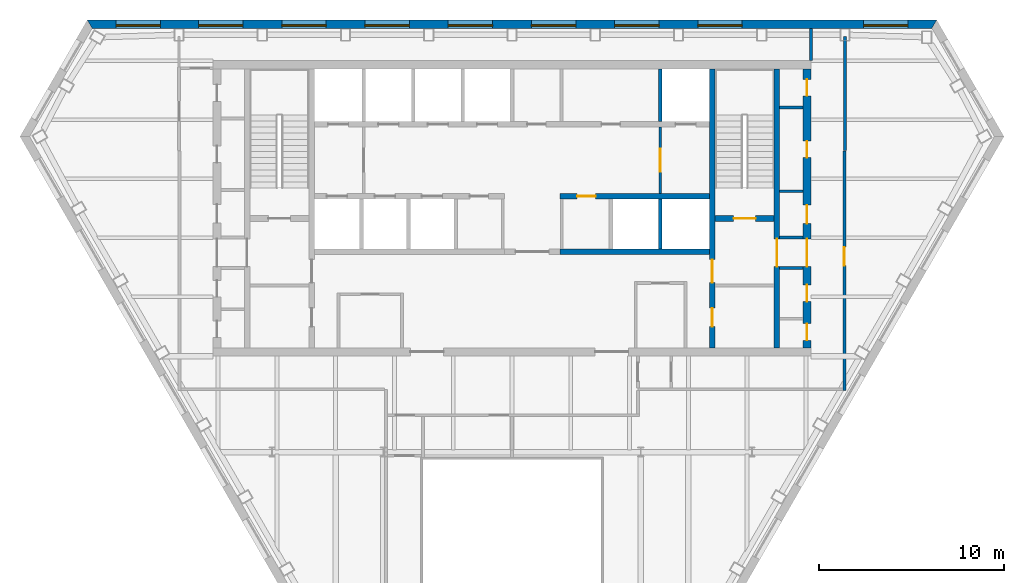
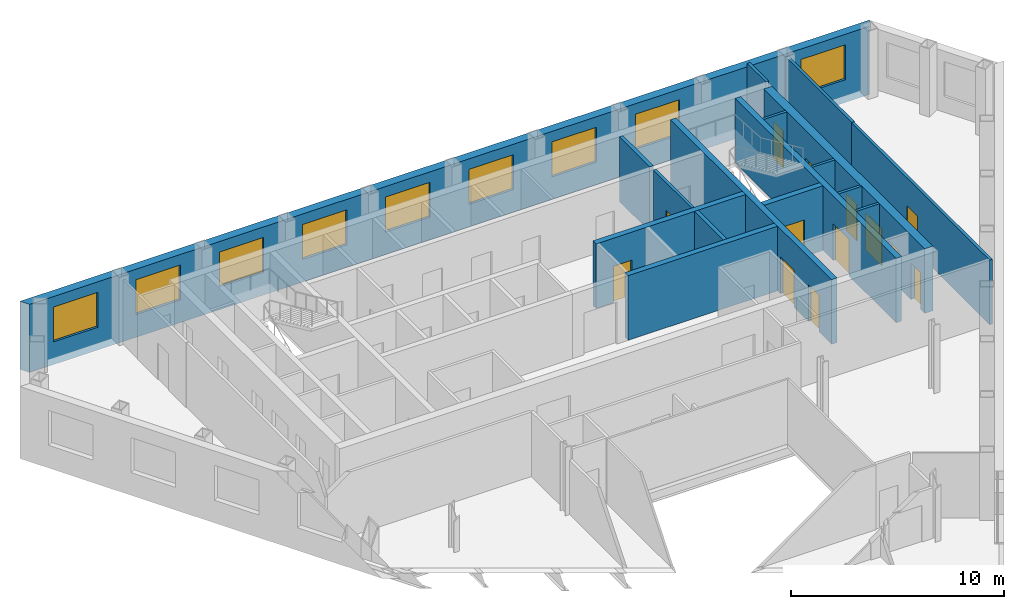
# One storey, part 7 of 11: 17 walls, 13 doors, 9 windows, 22 openings.
"""IFC4 building model written with IfcOpenShell, lengths in metres."""

import ifcopenshell
import ifcopenshell.guid

model = None  # the IFC model being written
_history = None  # IfcOwnerHistory: only IFC2X3 demands one
_inside = {}  # id of a spatial element -> (the spatial element, [elements in it])
_under = {}  # id of a project, library or spatial element -> (it, [spatial elements below it])
_declared = {}  # id of a project -> (the project, [libraries it declares])
_typed = {}  # id of a type object -> (the type object, [elements of that type])
_made_of = {}  # id of a material, layer set ... -> (it, [elements and type objects made of it])


def new_model(schema):
    """Start an empty IFC model of exactly this schema.

    Asked for "IFC4X3", IfcOpenShell would pick the latest addendum, in which some entities
    have other attributes; the version numbers below select the first issue.
    IFC2X3 requires an IfcOwnerHistory on every rooted entity: one is made here for all.
    """
    global model, _history
    if schema == "IFC4X3":
        model = ifcopenshell.file(schema_version=(4, 3, 0, 0))
    else:
        model = ifcopenshell.file(schema=schema)
    _inside.clear()
    _under.clear()
    _declared.clear()
    _typed.clear()
    _made_of.clear()
    _history = None
    if model.schema == "IFC2X3":
        org = make("IfcOrganization", Name="unknown")
        user = make(
            "IfcPersonAndOrganization",
            ThePerson=make("IfcPerson", FamilyName="unknown"),
            TheOrganization=org,
        )
        app = make(
            "IfcApplication",
            ApplicationDeveloper=org,
            Version="unknown",
            ApplicationFullName="unknown",
            ApplicationIdentifier="unknown",
        )
        _history = make(
            "IfcOwnerHistory",
            OwningUser=user,
            OwningApplication=app,
            ChangeAction="ADDED",
            CreationDate=0,
        )
    return model


def make(cls, **values):
    """One entity of the class cls with the attributes given. An attribute that is None is left unset."""
    return model.create_entity(
        cls, **{name: value for name, value in values.items() if value is not None}
    )


def rooted(cls, **values):
    """An entity with a GlobalId (a new one), such as an element, a storey or a relation."""
    return make(cls, GlobalId=ifcopenshell.guid.new(), OwnerHistory=_history, **values)


def si_unit(unit_type, name, prefix=None):
    """IfcSIUnit, for example si_unit("LENGTHUNIT", "METRE", prefix="MILLI")."""
    return make("IfcSIUnit", UnitType=unit_type, Prefix=prefix, Name=name)


def assignment(units):
    """IfcUnitAssignment: the units of a project."""
    return None if units is None else make("IfcUnitAssignment", Units=units)


def point(xyz):
    """IfcCartesianPoint."""
    return None if xyz is None else make("IfcCartesianPoint", Coordinates=xyz)


def direction(xyz):
    """IfcDirection."""
    return None if xyz is None else make("IfcDirection", DirectionRatios=xyz)


def frame(location, z_axis=None, x_axis=None):
    """IfcAxis2Placement3D, a coordinate frame: its origin and axes. An axis left out is left unset."""
    return make(
        "IfcAxis2Placement3D",
        Location=point(location),
        Axis=direction(z_axis),
        RefDirection=direction(x_axis),
    )


def frame_2d(location, x_axis=None):
    """IfcAxis2Placement2D, a coordinate frame in the plane: its origin and x axis."""
    return make(
        "IfcAxis2Placement2D", Location=point(location), RefDirection=direction(x_axis)
    )


def origin():
    """The frame at (0, 0, 0) with its axes left unset."""
    return frame((0.0, 0.0, 0.0))


def place(relative_to, where):
    """IfcLocalPlacement: puts the frame where relative to a parent placement (None: the world)."""
    return make(
        "IfcLocalPlacement", PlacementRelTo=relative_to, RelativePlacement=where
    )


def context(
    kind, dimensions, precision=None, world=None, true_north=None, identifier=None
):
    """IfcGeometricRepresentationContext, for example the 3D "Model" context."""
    return make(
        "IfcGeometricRepresentationContext",
        ContextIdentifier=identifier,
        ContextType=kind,
        CoordinateSpaceDimension=dimensions,
        Precision=precision,
        WorldCoordinateSystem=world,
        TrueNorth=true_north,
    )


def subcontext(parent, identifier, kind, view, scale=None):
    """IfcGeometricRepresentationSubContext, for example "Body" below "Model"."""
    return make(
        "IfcGeometricRepresentationSubContext",
        ContextIdentifier=identifier,
        ContextType=kind,
        ParentContext=parent,
        TargetScale=scale,
        TargetView=view,
    )


def project(units=None, contexts=None):
    """IfcProject with its units and contexts."""
    return rooted(
        "IfcProject",
        Name="project",
        RepresentationContexts=contexts,
        UnitsInContext=assignment(units),
    )


def spatial(cls, under=None, at=None, **own):
    """A site, building, storey or space (cls), placed at a placement, below another one or the project."""
    s = rooted(cls, ObjectPlacement=at, **own)
    if under is not None:
        _under.setdefault(under.id(), (under, []))[1].append(s)
    return s


def polyline(points):
    """IfcPolyline through the points."""
    return make("IfcPolyline", Points=[point(p) for p in points])


def profile(cls, at=None, kind="AREA", **sizes):
    """A parametric profile (cls). Its sizes go by their IFC names, for example OverallWidth=200.0."""
    return make(cls, ProfileType=kind, Position=at, **sizes)


def rectangle(**sizes):
    """IfcRectangleProfileDef."""
    return profile("IfcRectangleProfileDef", **sizes)


def outline(outer, holes=None, kind="AREA"):
    """IfcArbitraryClosedProfileDef: a profile drawn as a closed curve; with holes, ...WithVoids."""
    if holes is None:
        return make("IfcArbitraryClosedProfileDef", ProfileType=kind, OuterCurve=outer)
    return make(
        "IfcArbitraryProfileDefWithVoids",
        ProfileType=kind,
        OuterCurve=outer,
        InnerCurves=holes,
    )


def extrude(swept, where, along, depth):
    """IfcExtrudedAreaSolid: the profile swept, set in the frame where, extruded along a direction by depth."""
    return make(
        "IfcExtrudedAreaSolid",
        SweptArea=swept,
        Position=where,
        ExtrudedDirection=direction(along),
        Depth=depth,
    )


def shape(context_of_items, identifier, shape_type, items):
    """IfcShapeRepresentation: the items that make up one representation, for example the "Body"."""
    return make(
        "IfcShapeRepresentation",
        ContextOfItems=context_of_items,
        RepresentationIdentifier=identifier,
        RepresentationType=shape_type,
        Items=items,
    )


def material(Name=None, Category=None):
    """IfcMaterial."""
    return make("IfcMaterial", Name=Name, Category=Category)


def layer(
    of_material, thickness, ventilated=None, Name=None, Category=None, Priority=None
):
    """IfcMaterialLayer: one layer of a wall or slab, of a material (None: an air gap)."""
    return make(
        "IfcMaterialLayer",
        Material=of_material,
        LayerThickness=thickness,
        IsVentilated=ventilated,
        Name=Name,
        Category=Category,
        Priority=Priority,
    )


def layer_set(layers, Name=None):
    """IfcMaterialLayerSet."""
    return make("IfcMaterialLayerSet", MaterialLayers=layers, LayerSetName=Name)


def made_of(thing, what):
    """Note that an element or type object is made of a material, layer set ...; save() writes the relation."""
    if what is not None:
        _made_of.setdefault(what.id(), (what, []))[1].append(thing)
    return thing


def type_object(cls, material=None, **own):
    """A type object (cls), such as IfcWallType, which elements share."""
    return made_of(rooted(cls, **own), material)


def element(
    cls,
    number,
    at=None,
    inside=None,
    cuts=None,
    type_object=None,
    material=None,
    context=None,
    identifier="Body",
    shape_type=None,
    held_by="IfcProductDefinitionShape",
    body=None,
    shapes=None,
    **own,
):
    """One element of the class cls, such as IfcWall. Its Tag is "e" and its number.

    at: its placement. inside: the storey or other place that contains it. cuts: it is an
    opening in that element (IfcRelVoidsElement). A single representation is given by context,
    identifier, shape_type and body (its items); several are given by shapes. held_by: the class
    of the entity that holds the representations. save() writes the other relations.
    """
    e = rooted(cls, Tag="e%d" % number, ObjectPlacement=at, **own)
    if body is not None:
        shapes = [shape(context, identifier, shape_type, body)]
    if shapes is not None:
        e.Representation = make(held_by, Representations=shapes)
    if inside is not None:
        _inside.setdefault(inside.id(), (inside, []))[1].append(e)
    if cuts is not None:
        rooted(
            "IfcRelVoidsElement", RelatingBuildingElement=cuts, RelatedOpeningElement=e
        )
    if type_object is not None:
        _typed.setdefault(type_object.id(), (type_object, []))[1].append(e)
    return made_of(e, material)


def fill(opening, filler):
    """IfcRelFillsElement: the door or window that sits in an opening."""
    return rooted(
        "IfcRelFillsElement",
        RelatingOpeningElement=opening,
        RelatedBuildingElement=filler,
    )


def aggregate(whole, parts):
    """IfcRelAggregates: a whole, such as a stair, and the parts it consists of."""
    return rooted("IfcRelAggregates", RelatingObject=whole, RelatedObjects=parts)


def save(model, path):
    """Write the relations noted so far, then the file.

    IfcRelAggregates (storeys below a building ...), IfcRelContainedInSpatialStructure (elements
    in a storey), IfcRelDefinesByType, IfcRelAssociatesMaterial and IfcRelDeclares: one each for
    every whole, place, type object, material and project.
    """
    for whole, parts in _under.values():
        aggregate(whole, parts)
    for where, things in _inside.values():
        rooted(
            "IfcRelContainedInSpatialStructure",
            RelatedElements=things,
            RelatingStructure=where,
        )
    for kind, things in _typed.values():
        rooted("IfcRelDefinesByType", RelatedObjects=things, RelatingType=kind)
    for what, things in _made_of.values():
        rooted("IfcRelAssociatesMaterial", RelatedObjects=things, RelatingMaterial=what)
    for by, libraries in _declared.values():
        rooted("IfcRelDeclares", RelatingContext=by, RelatedDefinitions=libraries)
    model.write(path)


model = new_model("IFC4")

# Units and contexts
model_context = context("Model", 3, precision=1e-05, world=origin(), true_north=direction((0.0, 1.0)))
body_context = subcontext(model_context, "Body", "Model", "MODEL_VIEW")
ifc_project = project(units=[si_unit("LENGTHUNIT", "METRE"), si_unit("AREAUNIT", "SQUARE_METRE"), si_unit("VOLUMEUNIT", "CUBIC_METRE"), si_unit("PLANEANGLEUNIT", "RADIAN"), si_unit("MASSUNIT", "GRAM", prefix="KILO")], contexts=[model_context])

# Site, building, storey
site_placement = place(None, origin())
site = spatial("IfcSite", under=ifc_project, at=site_placement, CompositionType="ELEMENT")
building_placement = place(site_placement, origin())
building = spatial("IfcBuilding", under=site, at=building_placement, Name="Njiva Tower", CompositionType="ELEMENT")
storey_placement = place(building_placement, frame((0.0, 0.0, 212.1)))
storey = spatial("IfcBuildingStorey", under=building, at=storey_placement, Name="L47", CompositionType="ELEMENT", Elevation=212.1)

# Wall
ifc_material_1 = material(Name="Blockwork", Category="masonry")
ifc_layer_1 = layer(ifc_material_1, 0.15)
ifc_layer_set_1 = layer_set([ifc_layer_1], Name="Blockwork")
wall_type_1 = type_object("IfcWallType", Name="WT1 Compartment partition 150", PredefinedType="PARTITIONING", material=ifc_layer_set_1)
wall_1_placement = place(storey_placement, frame((14.5, 10.9308, 0.0), z_axis=(0.0, 0.0, 1.0), x_axis=(1.0, 0.0, 0.0)))
element("IfcWall", 1, at=wall_1_placement, inside=storey, type_object=wall_type_1, Name="Partition strip E10", PredefinedType="PARTITIONING", context=body_context, shape_type="SweptSolid", body=[
    extrude(rectangle(XDim=1.25, YDim=0.15, at=frame_2d((0.625, 0.0))), origin(), (0.0, 0.0, 1.0), 3.7),
])

# Wall, openings, doors
ifc_material_2 = material(Name="Concrete C40/50", Category="concrete")
ifc_layer_2 = layer(ifc_material_2, 0.3)
ifc_layer_set_2 = layer_set([ifc_layer_2], Name="Concrete C40/50")
wall_type_2 = type_object("IfcWallType", Name="WT10 Stair enclosure wall 300", PredefinedType="SHEAR", material=ifc_layer_set_2)
wall_2_placement = place(storey_placement, frame((10.85, 2.45, 0.0), z_axis=(0.0, 0.0, 1.0), x_axis=(0.0, 1.0, 0.0)))
wall_2 = element("IfcWall", 2, at=wall_2_placement, inside=storey, type_object=wall_type_2, Name="Stair wall east inner", PredefinedType="SHEAR", context=body_context, shape_type="SweptSolid", body=[
    extrude(rectangle(XDim=15.1, YDim=0.3, at=frame_2d((7.55, 0.0))), origin(), (0.0, 0.0, 1.0), 3.7),
])
opening_1_placement = place(wall_2_placement, frame((3.525, 0.0, 0.0)))
opening_1 = element("IfcOpeningElement", 3, at=opening_1_placement, cuts=wall_2, Name="Opening S15-D919", PredefinedType="OPENING", context=body_context, shape_type="SweptSolid", body=[
    extrude(rectangle(XDim=1.25, YDim=2.1, at=frame_2d((0.625, 1.05))), frame((0.0, 0.16, 0.0), z_axis=(0.0, -1.0, 0.0), x_axis=(1.0, 0.0, 0.0)), (0.0, 0.0, 1.0), 0.32),
])
opening_2_placement = place(wall_2_placement, frame((1.15, 0.0, 0.0)))
opening_2 = element("IfcOpeningElement", 4, at=opening_2_placement, cuts=wall_2, Name="Opening S15-D920", PredefinedType="OPENING", context=body_context, shape_type="SweptSolid", body=[
    extrude(rectangle(XDim=1.0, YDim=2.1, at=frame_2d((0.5, 1.05))), frame((0.0, 0.16, 0.0), z_axis=(0.0, -1.0, 0.0), x_axis=(1.0, 0.0, 0.0)), (0.0, 0.0, 1.0), 0.32),
])
ifc_material_3 = material(Name="Steel door, painted", Category="steel")
door_type_1 = type_object("IfcDoorType", Name="D5 Steel door 1000x2100", OperationType="SINGLE_SWING_LEFT", PredefinedType="DOOR", material=ifc_material_3)
door_1_placement = place(opening_2_placement, origin())
door_1 = element("IfcDoor", 5, at=door_1_placement, inside=storey, type_object=door_type_1, Name="Prayer room door", OperationType="SINGLE_SWING_LEFT", OverallHeight=2.1, OverallWidth=1.0, PredefinedType="DOOR", context=body_context, shape_type="SweptSolid", body=[
    extrude(rectangle(XDim=1.0, YDim=2.1, at=frame_2d((0.5, 1.05))), frame((0.0, 0.025, 0.0), z_axis=(0.0, -1.0, 0.0), x_axis=(1.0, 0.0, 0.0)), (0.0, 0.0, 1.0), 0.05),
])
fill(opening_2, door_1)
ifc_material_4 = material(Name="Glazed steel fire door", Category="steel")
door_type_2 = type_object("IfcDoorType", Name="D8 Vestibule corridor door 1250x2100 glazed", OperationType="SINGLE_SWING_LEFT", PredefinedType="DOOR", material=ifc_material_4)
door_2_placement = place(opening_1_placement, origin())
door_2 = element("IfcDoor", 6, at=door_2_placement, inside=storey, type_object=door_type_2, Name="Stair vestibule corridor door", OperationType="SINGLE_SWING_RIGHT", OverallHeight=2.1, OverallWidth=1.25, PredefinedType="DOOR", context=body_context, shape_type="SweptSolid", body=[
    extrude(rectangle(XDim=1.25, YDim=2.1, at=frame_2d((0.625, 1.05))), frame((0.0, 0.025, 0.0), z_axis=(0.0, -1.0, 0.0), x_axis=(1.0, 0.0, 0.0)), (0.0, 0.0, 1.0), 0.05),
])
fill(opening_1, door_2)

# Wall, opening, door
wall_3_placement = place(storey_placement, frame((14.35, 2.45, 0.0), z_axis=(0.0, 0.0, 1.0), x_axis=(0.0, 1.0, 0.0)))
wall_3 = element("IfcWall", 7, at=wall_3_placement, inside=storey, type_object=wall_type_2, Name="Stair wall east outer", PredefinedType="SHEAR", context=body_context, shape_type="SweptSolid", body=[
    extrude(rectangle(XDim=15.1, YDim=0.3, at=frame_2d((7.55, 0.0))), origin(), (0.0, 0.0, 1.0), 3.7),
])
opening_3_placement = place(wall_3_placement, frame((4.4, 0.0, 0.0)))
opening_3 = element("IfcOpeningElement", 8, at=opening_3_placement, cuts=wall_3, Name="Opening S15-D928", PredefinedType="OPENING", context=body_context, shape_type="SweptSolid", body=[
    extrude(rectangle(XDim=1.5, YDim=2.1, at=frame_2d((0.75, 1.05))), frame((0.0, 0.16, 0.0), z_axis=(0.0, -1.0, 0.0), x_axis=(1.0, 0.0, 0.0)), (0.0, 0.0, 1.0), 0.32),
])
door_type_3 = type_object("IfcDoorType", Name="D10 Exit door double 1500x2100 glazed", OperationType="DOUBLE_DOOR_SINGLE_SWING", PredefinedType="DOOR", material=ifc_material_4)
door_3_placement = place(opening_3_placement, origin())
door_3 = element("IfcDoor", 9, at=door_3_placement, inside=storey, type_object=door_type_3, Name="Stair B passage door", OperationType="DOUBLE_DOOR_SINGLE_SWING", OverallHeight=2.1, OverallWidth=1.5, PredefinedType="DOOR", context=body_context, shape_type="SweptSolid", body=[
    extrude(rectangle(XDim=1.5, YDim=2.1, at=frame_2d((0.75, 1.05))), frame((0.0, 0.025, 0.0), z_axis=(0.0, -1.0, 0.0), x_axis=(1.0, 0.0, 0.0)), (0.0, 0.0, 1.0), 0.05),
])
fill(opening_3, door_3)

wall_4_placement = place(storey_placement, frame((11.0, 9.45, 0.0), z_axis=(0.0, 0.0, 1.0), x_axis=(1.0, 0.0, 0.0)))
wall_4 = element("IfcWall", 10, at=wall_4_placement, inside=storey, type_object=wall_type_2, Name="Stair B south wall", PredefinedType="SHEAR", context=body_context, shape_type="SweptSolid", body=[
    extrude(rectangle(XDim=3.2, YDim=0.3, at=frame_2d((1.6, 0.0))), origin(), (0.0, 0.0, 1.0), 3.7),
])
opening_4_placement = place(wall_4_placement, frame((1.0, 0.0, 0.0)))
opening_4 = element("IfcOpeningElement", 11, at=opening_4_placement, cuts=wall_4, Name="Opening S15-D918", PredefinedType="OPENING", context=body_context, shape_type="SweptSolid", body=[
    extrude(rectangle(XDim=1.2, YDim=2.1, at=frame_2d((0.6, 1.05))), frame((0.0, 0.16, 0.0), z_axis=(0.0, -1.0, 0.0), x_axis=(1.0, 0.0, 0.0)), (0.0, 0.0, 1.0), 0.32),
])
door_type_4 = type_object("IfcDoorType", Name="D7 Stair vestibule door 1200x2100 glazed", OperationType="SINGLE_SWING_LEFT", PredefinedType="DOOR", material=ifc_material_4)
door_4_placement = place(opening_4_placement, origin())
door_4 = element("IfcDoor", 12, at=door_4_placement, inside=storey, type_object=door_type_4, Name="Stair B door", OperationType="SINGLE_SWING_LEFT", OverallHeight=2.1, OverallWidth=1.2, PredefinedType="DOOR", context=body_context, shape_type="SweptSolid", body=[
    extrude(rectangle(XDim=1.2, YDim=2.1, at=frame_2d((0.6, 1.05))), frame((0.0, 0.025, 0.0), z_axis=(0.0, -1.0, 0.0), x_axis=(1.0, 0.0, 0.0)), (0.0, 0.0, 1.0), 0.05),
])
fill(opening_4, door_4)

# Wall, openings, doors
ifc_material_5 = material(Name="Concrete C60/75", Category="concrete")
ifc_layer_3 = layer(ifc_material_5, 0.45)
ifc_layer_set_3 = layer_set([ifc_layer_3], Name="Concrete C60/75")
wall_type_3 = type_object("IfcWallType", Name="WT12 Core wall 450", PredefinedType="SHEAR", material=ifc_layer_set_3)
wall_5_placement = place(storey_placement, frame((15.975, 2.45, 0.0), z_axis=(0.0, 0.0, 1.0), x_axis=(0.0, 1.0, 0.0)))
wall_5 = element("IfcWall", 13, at=wall_5_placement, inside=storey, type_object=wall_type_3, Name="Core wall east", PredefinedType="SHEAR", context=body_context, shape_type="SweptSolid", body=[
    extrude(rectangle(XDim=15.1, YDim=0.45, at=frame_2d((7.55, 0.0))), origin(), (0.0, 0.0, 1.0), 3.7),
])
opening_5_placement = place(wall_5_placement, frame((4.4, 0.0, 0.0)))
opening_5 = element("IfcOpeningElement", 14, at=opening_5_placement, cuts=wall_5, Name="Opening S15-D929", PredefinedType="OPENING", context=body_context, shape_type="SweptSolid", body=[
    extrude(rectangle(XDim=1.5, YDim=2.1, at=frame_2d((0.75, 1.05))), frame((0.0, 0.235, 0.0), z_axis=(0.0, -1.0, 0.0), x_axis=(1.0, 0.0, 0.0)), (0.0, 0.0, 1.0), 0.47),
])
opening_6_placement = place(wall_5_placement, frame((0.4, 0.0, 0.0)))
opening_6 = element("IfcOpeningElement", 15, at=opening_6_placement, cuts=wall_5, Name="Opening S15-D930", PredefinedType="OPENING", context=body_context, shape_type="SweptSolid", body=[
    extrude(rectangle(XDim=0.9, YDim=2.1, at=frame_2d((0.45, 1.05))), frame((0.0, 0.235, 0.0), z_axis=(0.0, -1.0, 0.0), x_axis=(1.0, 0.0, 0.0)), (0.0, 0.0, 1.0), 0.47),
])
opening_7_placement = place(wall_5_placement, frame((2.5, 0.0, 0.0)))
opening_7 = element("IfcOpeningElement", 16, at=opening_7_placement, cuts=wall_5, Name="Opening S15-D931", PredefinedType="OPENING", context=body_context, shape_type="SweptSolid", body=[
    extrude(rectangle(XDim=0.9, YDim=2.1, at=frame_2d((0.45, 1.05))), frame((0.0, 0.235, 0.0), z_axis=(0.0, -1.0, 0.0), x_axis=(1.0, 0.0, 0.0)), (0.0, 0.0, 1.0), 0.47),
])
opening_8_placement = place(wall_5_placement, frame((6.7279, 0.0, 0.0)))
opening_8 = element("IfcOpeningElement", 17, at=opening_8_placement, cuts=wall_5, Name="Opening S15-D932", PredefinedType="OPENING", context=body_context, shape_type="SweptSolid", body=[
    extrude(rectangle(XDim=1.0, YDim=2.1, at=frame_2d((0.5, 1.05))), frame((0.0, 0.235, 0.0), z_axis=(0.0, -1.0, 0.0), x_axis=(1.0, 0.0, 0.0)), (0.0, 0.0, 1.0), 0.47),
])
opening_9_placement = place(wall_5_placement, frame((10.2933, 0.0, 0.0)))
opening_9 = element("IfcOpeningElement", 18, at=opening_9_placement, cuts=wall_5, Name="Opening S15-D933", PredefinedType="OPENING", context=body_context, shape_type="SweptSolid", body=[
    extrude(rectangle(XDim=0.9, YDim=2.1, at=frame_2d((0.45, 1.05))), frame((0.0, 0.235, 0.0), z_axis=(0.0, -1.0, 0.0), x_axis=(1.0, 0.0, 0.0)), (0.0, 0.0, 1.0), 0.47),
])
opening_10_placement = place(wall_5_placement, frame((13.6404, 0.0, 0.0)))
opening_10 = element("IfcOpeningElement", 19, at=opening_10_placement, cuts=wall_5, Name="Opening S15-D934", PredefinedType="OPENING", context=body_context, shape_type="SweptSolid", body=[
    extrude(rectangle(XDim=0.9, YDim=2.1, at=frame_2d((0.45, 1.05))), frame((0.0, 0.235, 0.0), z_axis=(0.0, -1.0, 0.0), x_axis=(1.0, 0.0, 0.0)), (0.0, 0.0, 1.0), 0.47),
])
door_5_placement = place(opening_5_placement, origin())
door_5 = element("IfcDoor", 20, at=door_5_placement, inside=storey, type_object=door_type_3, Name="Stair B corridor door", OperationType="DOUBLE_DOOR_SINGLE_SWING", OverallHeight=2.1, OverallWidth=1.5, PredefinedType="DOOR", context=body_context, shape_type="SweptSolid", body=[
    extrude(rectangle(XDim=1.5, YDim=2.1, at=frame_2d((0.75, 1.05))), frame((0.0, 0.025, 0.0), z_axis=(0.0, -1.0, 0.0), x_axis=(1.0, 0.0, 0.0)), (0.0, 0.0, 1.0), 0.05),
])
fill(opening_5, door_5)
door_type_5 = type_object("IfcDoorType", Name="D4 Riser door 900x2100", OperationType="SINGLE_SWING_LEFT", PredefinedType="DOOR", material=ifc_material_3)
door_6_placement = place(opening_10_placement, origin())
door_6 = element("IfcDoor", 21, at=door_6_placement, inside=storey, type_object=door_type_5, Name="Cable riser door", OperationType="SINGLE_SWING_RIGHT", OverallHeight=2.1, OverallWidth=0.9, PredefinedType="DOOR", context=body_context, shape_type="SweptSolid", body=[
    extrude(rectangle(XDim=0.9, YDim=2.1, at=frame_2d((0.45, 1.05))), frame((0.0, 0.025, 0.0), z_axis=(0.0, -1.0, 0.0), x_axis=(1.0, 0.0, 0.0)), (0.0, 0.0, 1.0), 0.05),
])
fill(opening_10, door_6)
door_7_placement = place(opening_8_placement, origin())
door_7 = element("IfcDoor", 22, at=door_7_placement, inside=storey, type_object=door_type_1, Name="Electrical room door", OperationType="SINGLE_SWING_LEFT", OverallHeight=2.1, OverallWidth=1.0, PredefinedType="DOOR", context=body_context, shape_type="SweptSolid", body=[
    extrude(rectangle(XDim=1.0, YDim=2.1, at=frame_2d((0.5, 1.05))), frame((0.0, 0.025, 0.0), z_axis=(0.0, -1.0, 0.0), x_axis=(1.0, 0.0, 0.0)), (0.0, 0.0, 1.0), 0.05),
])
fill(opening_8, door_7)
ifc_material_6 = material(Name="Steel fire door, painted", Category="steel")
door_type_6 = type_object("IfcDoorType", Name="D6 Fire-rated door 900x2100", OperationType="SINGLE_SWING_LEFT", PredefinedType="DOOR", material=ifc_material_6)
door_8_placement = place(opening_6_placement, origin())
door_8 = element("IfcDoor", 23, at=door_8_placement, inside=storey, type_object=door_type_6, Name="Cleaner's store door", OperationType="SINGLE_SWING_LEFT", OverallHeight=2.1, OverallWidth=0.9, PredefinedType="DOOR", context=body_context, shape_type="SweptSolid", body=[
    extrude(rectangle(XDim=0.9, YDim=2.1, at=frame_2d((0.45, 1.05))), frame((0.0, 0.025, 0.0), z_axis=(0.0, -1.0, 0.0), x_axis=(1.0, 0.0, 0.0)), (0.0, 0.0, 1.0), 0.05),
])
fill(opening_6, door_8)
door_9_placement = place(opening_7_placement, origin())
door_9 = element("IfcDoor", 24, at=door_9_placement, inside=storey, type_object=door_type_6, Name="Cable store door", OperationType="SINGLE_SWING_LEFT", OverallHeight=2.1, OverallWidth=0.9, PredefinedType="DOOR", context=body_context, shape_type="SweptSolid", body=[
    extrude(rectangle(XDim=0.9, YDim=2.1, at=frame_2d((0.45, 1.05))), frame((0.0, 0.025, 0.0), z_axis=(0.0, -1.0, 0.0), x_axis=(1.0, 0.0, 0.0)), (0.0, 0.0, 1.0), 0.05),
])
fill(opening_7, door_9)
door_10_placement = place(opening_9_placement, origin())
door_10 = element("IfcDoor", 25, at=door_10_placement, inside=storey, type_object=door_type_6, Name="Cable store door", OperationType="SINGLE_SWING_RIGHT", OverallHeight=2.1, OverallWidth=0.9, PredefinedType="DOOR", context=body_context, shape_type="SweptSolid", body=[
    extrude(rectangle(XDim=0.9, YDim=2.1, at=frame_2d((0.45, 1.05))), frame((0.0, 0.025, 0.0), z_axis=(0.0, -1.0, 0.0), x_axis=(1.0, 0.0, 0.0)), (0.0, 0.0, 1.0), 0.05),
])
fill(opening_9, door_10)

# Wall, opening, door
ifc_layer_4 = layer(ifc_material_1, 0.15)
ifc_layer_set_4 = layer_set([ifc_layer_4], Name="Blockwork")
wall_type_4 = type_object("IfcWallType", Name="WT2 Lobby partition 150", PredefinedType="PARTITIONING", material=ifc_layer_set_4)
wall_6_placement = place(storey_placement, frame((8.025, 10.8, 0.0), z_axis=(0.0, 0.0, 1.0), x_axis=(0.0, 1.0, 0.0)))
wall_6 = element("IfcWall", 26, at=wall_6_placement, inside=storey, type_object=wall_type_4, Name="Firefighting lobby wall B", PredefinedType="PARTITIONING", context=body_context, shape_type="SweptSolid", body=[
    extrude(rectangle(XDim=3.6, YDim=0.15, at=frame_2d((1.8, 0.0))), origin(), (0.0, 0.0, 1.0), 3.7),
])
opening_11_placement = place(wall_6_placement, frame((1.175, 0.0, 0.0)))
opening_11 = element("IfcOpeningElement", 27, at=opening_11_placement, cuts=wall_6, Name="Opening S15-D917", PredefinedType="OPENING", context=body_context, shape_type="SweptSolid", body=[
    extrude(rectangle(XDim=1.25, YDim=2.1, at=frame_2d((0.625, 1.05))), frame((0.0, 0.085, 0.0), z_axis=(0.0, -1.0, 0.0), x_axis=(1.0, 0.0, 0.0)), (0.0, 0.0, 1.0), 0.17),
])
door_11_placement = place(opening_11_placement, origin())
door_11 = element("IfcDoor", 28, at=door_11_placement, inside=storey, type_object=door_type_2, Name="Stair vestibule corridor door", OperationType="SINGLE_SWING_LEFT", OverallHeight=2.1, OverallWidth=1.25, PredefinedType="DOOR", context=body_context, shape_type="SweptSolid", body=[
    extrude(rectangle(XDim=1.25, YDim=2.1, at=frame_2d((0.625, 1.05))), frame((0.0, 0.025, 0.0), z_axis=(0.0, -1.0, 0.0), x_axis=(1.0, 0.0, 0.0)), (0.0, 0.0, 1.0), 0.05),
])
fill(opening_11, door_11)

# Wall
ifc_material_7 = material(Name="Gypsum board on steel studs", Category="gypsum")
ifc_layer_5 = layer(ifc_material_7, 0.15)
ifc_layer_set_5 = layer_set([ifc_layer_5], Name="Gypsum board on steel studs")
wall_type_5 = type_object("IfcWallType", Name="WT21 Compartment wall 150", PredefinedType="PARTITIONING", material=ifc_layer_set_5)
wall_7_placement = place(storey_placement, frame((16.2, 18.0, 0.0), z_axis=(0.0, 0.0, 1.0), x_axis=(0.0, 1.0, 0.0)))
element("IfcWall", 29, at=wall_7_placement, inside=storey, type_object=wall_type_5, Name="Partition S15-P025", PredefinedType="PARTITIONING", context=body_context, shape_type="SweptSolid", body=[
    extrude(rectangle(XDim=1.75, YDim=0.15, at=frame_2d((0.875, 0.0))), origin(), (0.0, 0.0, 1.0), 3.7),
])

# Wall, opening, door
wall_8_placement = place(storey_placement, frame((18.0, 0.125, 0.0), z_axis=(0.0, 0.0, 1.0), x_axis=(0.0, 1.0, 0.0)))
wall_8 = element("IfcWall", 30, at=wall_8_placement, inside=storey, type_object=wall_type_5, Name="Partition S15-P026", PredefinedType="PARTITIONING", context=body_context, shape_type="SweptSolid", body=[
    extrude(rectangle(XDim=12.98, YDim=0.15, at=frame_2d((6.49, 0.0))), origin(), (0.0, 0.0, 1.0), 3.7),
])
opening_12_placement = place(wall_8_placement, frame((6.777, 0.0, 0.0)))
opening_12 = element("IfcOpeningElement", 31, at=opening_12_placement, cuts=wall_8, Name="Opening S15-D013", PredefinedType="OPENING", context=body_context, shape_type="SweptSolid", body=[
    extrude(rectangle(XDim=1.0, YDim=2.1, at=frame_2d((0.5, 1.05))), frame((0.0, 0.085, 0.0), z_axis=(0.0, -1.0, 0.0), x_axis=(1.0, 0.0, 0.0)), (0.0, 0.0, 1.0), 0.17),
])
ifc_material_8 = material(Name="Steel fire door set", Category="steel")
door_type_7 = type_object("IfcDoorType", Name="D37 Fire door 1000x2100", OperationType="SINGLE_SWING_LEFT", PredefinedType="DOOR", material=ifc_material_8)
door_12_placement = place(opening_12_placement, origin())
door_12 = element("IfcDoor", 32, at=door_12_placement, inside=storey, type_object=door_type_7, Name="Door S15-D013", OperationType="SINGLE_SWING_LEFT", OverallHeight=2.1, OverallWidth=1.0, PredefinedType="DOOR", context=body_context, shape_type="SweptSolid", body=[
    extrude(rectangle(XDim=1.0, YDim=2.1, at=frame_2d((0.5, 1.05))), frame((0.0, 0.025, 0.0), z_axis=(0.0, -1.0, 0.0), x_axis=(1.0, 0.0, 0.0)), (0.0, 0.0, 1.0), 0.05),
])
fill(opening_12, door_12)

# Walls
wall_9_placement = place(storey_placement, frame((18.031, 13.123, 0.0), z_axis=(0.0, 0.0, 1.0), x_axis=(0.0, 1.0, 0.0)))
element("IfcWall", 33, at=wall_9_placement, inside=storey, type_object=wall_type_5, Name="Partition S15-P027", PredefinedType="PARTITIONING", context=body_context, shape_type="SweptSolid", body=[
    extrude(rectangle(XDim=6.177, YDim=0.15, at=frame_2d((3.0885, 0.0))), origin(), (0.0, 0.0, 1.0), 3.7),
])
ifc_layer_6 = layer(ifc_material_1, 0.15)
ifc_layer_set_6 = layer_set([ifc_layer_6], Name="Blockwork")
wall_type_6 = type_object("IfcWallType", Name="WT3 Riser partition 150", PredefinedType="PARTITIONING", material=ifc_layer_set_6)
wall_10_placement = place(storey_placement, frame((14.5, 15.4558, 0.0), z_axis=(0.0, 0.0, 1.0), x_axis=(1.0, 0.0, 0.0)))
element("IfcWall", 34, at=wall_10_placement, inside=storey, type_object=wall_type_6, Name="Partition strip E11", PredefinedType="PARTITIONING", context=body_context, shape_type="SweptSolid", body=[
    extrude(rectangle(XDim=1.25, YDim=0.15, at=frame_2d((0.625, 0.0))), origin(), (0.0, 0.0, 1.0), 3.7),
])
ifc_layer_7 = layer(ifc_material_1, 0.15)
ifc_layer_set_7 = layer_set([ifc_layer_7], Name="Blockwork")
wall_type_7 = type_object("IfcWallType", Name="WT4 Stair partition 150", PredefinedType="PARTITIONING", material=ifc_layer_set_7)
for number, where, z_axis, x_axis, name in (
    (35, (14.5, 6.775, 0.0), (0.0, 0.0, 1.0), (1.0, 0.0, 0.0), "Stair B exit passage wall south"),
    (36, (14.5, 8.425, 0.0), (0.0, 0.0, 1.0), (1.0, 0.0, 0.0), "Stair B exit passage wall north"),
):
    element("IfcWall", number, at=place(storey_placement, frame(where, z_axis=z_axis, x_axis=x_axis)), inside=storey, type_object=wall_type_7, Name=name, PredefinedType="PARTITIONING", context=body_context, shape_type="SweptSolid", body=[
        extrude(rectangle(XDim=1.25, YDim=0.15, at=frame_2d((0.625, 0.0))), origin(), (0.0, 0.0, 1.0), 3.7),
    ])
ifc_layer_8 = layer(ifc_material_2, 0.2)
ifc_layer_set_8 = layer_set([ifc_layer_8], Name="Concrete C40/50")
wall_type_8 = type_object("IfcWallType", Name="WT6 Lift shaft wall 200", PredefinedType="SHEAR", material=ifc_layer_set_8)
wall_11_placement = place(storey_placement, frame((8.025, 14.7, 0.0), z_axis=(0.0, 0.0, 1.0), x_axis=(0.0, 1.0, 0.0)))
element("IfcWall", 37, at=wall_11_placement, inside=storey, type_object=wall_type_8, Name="Shaft wall CN7", PredefinedType="SHEAR", context=body_context, shape_type="SweptSolid", body=[
    extrude(rectangle(XDim=2.85, YDim=0.2, at=frame_2d((1.425, 0.0))), origin(), (0.0, 0.0, 1.0), 3.7),
])
wall_12_placement = place(storey_placement, frame((8.0333, 7.8, 0.0), z_axis=(0.0, 0.0, 1.0), x_axis=(0.0, 1.0, 0.0)))
element("IfcWall", 38, at=wall_12_placement, inside=storey, type_object=wall_type_8, Name="Shaft wall CS7", PredefinedType="SHEAR", context=body_context, shape_type="SweptSolid", body=[
    extrude(rectangle(XDim=2.7, YDim=0.2, at=frame_2d((1.35, 0.0))), origin(), (0.0, 0.0, 1.0), 3.7),
])

# Wall, opening, door
ifc_layer_9 = layer(ifc_material_2, 0.3)
ifc_layer_set_9 = layer_set([ifc_layer_9], Name="Concrete C40/50")
wall_type_9 = type_object("IfcWallType", Name="WT7 Lift shaft wall 300", PredefinedType="SHEAR", material=ifc_layer_set_9)
wall_13_placement = place(storey_placement, frame((2.6, 10.65, 0.0), z_axis=(0.0, 0.0, 1.0), x_axis=(1.0, 0.0, 0.0)))
wall_13 = element("IfcWall", 39, at=wall_13_placement, inside=storey, type_object=wall_type_9, Name="Shaft wall south row lobby side E", PredefinedType="SHEAR", context=body_context, shape_type="SweptSolid", body=[
    extrude(rectangle(XDim=8.1, YDim=0.3, at=frame_2d((4.05, 0.0))), origin(), (0.0, 0.0, 1.0), 3.7),
])
opening_13_placement = place(wall_13_placement, frame((0.9334, 0.0, 0.0)))
opening_13 = element("IfcOpeningElement", 40, at=opening_13_placement, cuts=wall_13, Name="Opening S15-D912", PredefinedType="OPENING", context=body_context, shape_type="SweptSolid", body=[
    extrude(rectangle(XDim=1.0, YDim=2.1, at=frame_2d((0.5, 1.05))), frame((0.0, 0.16, 0.0), z_axis=(0.0, -1.0, 0.0), x_axis=(1.0, 0.0, 0.0)), (0.0, 0.0, 1.0), 0.32),
])
door_13_placement = place(opening_13_placement, origin())
door_13 = element("IfcDoor", 41, at=door_13_placement, inside=storey, type_object=door_type_1, Name="Prayer room door", OperationType="SINGLE_SWING_LEFT", OverallHeight=2.1, OverallWidth=1.0, PredefinedType="DOOR", context=body_context, shape_type="SweptSolid", body=[
    extrude(rectangle(XDim=1.0, YDim=2.1, at=frame_2d((0.5, 1.05))), frame((0.0, 0.025, 0.0), z_axis=(0.0, -1.0, 0.0), x_axis=(1.0, 0.0, 0.0)), (0.0, 0.0, 1.0), 0.05),
])
fill(opening_13, door_13)

# Wall
wall_14_placement = place(storey_placement, frame((2.6, 7.65, 0.0), z_axis=(0.0, 0.0, 1.0), x_axis=(1.0, 0.0, 0.0)))
element("IfcWall", 42, at=wall_14_placement, inside=storey, type_object=wall_type_9, Name="Shaft wall south row back E", PredefinedType="SHEAR", context=body_context, shape_type="SweptSolid", body=[
    extrude(rectangle(XDim=8.1, YDim=0.3, at=frame_2d((4.05, 0.0))), origin(), (0.0, 0.0, 1.0), 3.7),
])

# Wall, openings, windows
ifc_material_9 = material(Name="Brick masonry", Category="masonry")
ifc_layer_10 = layer(ifc_material_9, 0.45)
ifc_layer_set_10 = layer_set([ifc_layer_10], Name="Brick masonry")
wall_type_10 = type_object("IfcWallType", Name="WT90 Brick pier and spandrel wall 450", PredefinedType="SOLIDWALL", material=ifc_layer_set_10)
wall_15_placement = place(storey_placement, frame((22.8701, 19.975, -0.4), z_axis=(0.0, 0.0, 1.0), x_axis=(-1.0, 0.0, 0.0)))
wall_15 = element("IfcWall", 43, at=wall_15_placement, inside=storey, type_object=wall_type_10, Name="Facade wall N", PredefinedType="SOLIDWALL", context=body_context, shape_type="SweptSolid", body=[
    extrude(outline(polyline([(-0.1299, -0.225), (45.8701, -0.225), (45.6103, 0.225), (0.1299, 0.225), (-0.1299, -0.225)])), origin(), (0.0, 0.0, 1.0), 3.9),
])
opening_14_placement = place(wall_15_placement, frame((1.4242, 0.0, 1.3)))
opening_14 = element("IfcOpeningElement", 44, at=opening_14_placement, cuts=wall_15, Name="Opening S15-W01", PredefinedType="OPENING", context=body_context, shape_type="SweptSolid", body=[
    extrude(rectangle(XDim=2.4, YDim=2.0, at=frame_2d((1.2, 1.0))), frame((0.0, 0.235, 0.0), z_axis=(0.0, -1.0, 0.0), x_axis=(1.0, 0.0, 0.0)), (0.0, 0.0, 1.0), 0.47),
])
opening_15_placement = place(wall_15_placement, frame((10.401, 0.0, 1.3)))
opening_15 = element("IfcOpeningElement", 45, at=opening_15_placement, cuts=wall_15, Name="Opening S15-W02", PredefinedType="OPENING", context=body_context, shape_type="SweptSolid", body=[
    extrude(rectangle(XDim=2.4, YDim=2.0, at=frame_2d((1.2, 1.0))), frame((0.0, 0.235, 0.0), z_axis=(0.0, -1.0, 0.0), x_axis=(1.0, 0.0, 0.0)), (0.0, 0.0, 1.0), 0.47),
])
opening_16_placement = place(wall_15_placement, frame((14.9087, 0.0, 1.3)))
opening_16 = element("IfcOpeningElement", 46, at=opening_16_placement, cuts=wall_15, Name="Opening S15-W03", PredefinedType="OPENING", context=body_context, shape_type="SweptSolid", body=[
    extrude(rectangle(XDim=2.4, YDim=2.0, at=frame_2d((1.2, 1.0))), frame((0.0, 0.235, 0.0), z_axis=(0.0, -1.0, 0.0), x_axis=(1.0, 0.0, 0.0)), (0.0, 0.0, 1.0), 0.47),
])
opening_17_placement = place(wall_15_placement, frame((19.4163, 0.0, 1.3)))
opening_17 = element("IfcOpeningElement", 47, at=opening_17_placement, cuts=wall_15, Name="Opening S15-W04", PredefinedType="OPENING", context=body_context, shape_type="SweptSolid", body=[
    extrude(rectangle(XDim=2.4, YDim=2.0, at=frame_2d((1.2, 1.0))), frame((0.0, 0.235, 0.0), z_axis=(0.0, -1.0, 0.0), x_axis=(1.0, 0.0, 0.0)), (0.0, 0.0, 1.0), 0.47),
])
opening_18_placement = place(wall_15_placement, frame((23.9239, 0.0, 1.3)))
opening_18 = element("IfcOpeningElement", 48, at=opening_18_placement, cuts=wall_15, Name="Opening S15-W05", PredefinedType="OPENING", context=body_context, shape_type="SweptSolid", body=[
    extrude(rectangle(XDim=2.4, YDim=2.0, at=frame_2d((1.2, 1.0))), frame((0.0, 0.235, 0.0), z_axis=(0.0, -1.0, 0.0), x_axis=(1.0, 0.0, 0.0)), (0.0, 0.0, 1.0), 0.47),
])
opening_19_placement = place(wall_15_placement, frame((28.4315, 0.0, 1.3)))
opening_19 = element("IfcOpeningElement", 49, at=opening_19_placement, cuts=wall_15, Name="Opening S15-W06", PredefinedType="OPENING", context=body_context, shape_type="SweptSolid", body=[
    extrude(rectangle(XDim=2.4, YDim=2.0, at=frame_2d((1.2, 1.0))), frame((0.0, 0.235, 0.0), z_axis=(0.0, -1.0, 0.0), x_axis=(1.0, 0.0, 0.0)), (0.0, 0.0, 1.0), 0.47),
])
opening_20_placement = place(wall_15_placement, frame((32.9391, 0.0, 1.3)))
opening_20 = element("IfcOpeningElement", 50, at=opening_20_placement, cuts=wall_15, Name="Opening S15-W07", PredefinedType="OPENING", context=body_context, shape_type="SweptSolid", body=[
    extrude(rectangle(XDim=2.4, YDim=2.0, at=frame_2d((1.2, 1.0))), frame((0.0, 0.235, 0.0), z_axis=(0.0, -1.0, 0.0), x_axis=(1.0, 0.0, 0.0)), (0.0, 0.0, 1.0), 0.47),
])
opening_21_placement = place(wall_15_placement, frame((37.4468, 0.0, 1.3)))
opening_21 = element("IfcOpeningElement", 51, at=opening_21_placement, cuts=wall_15, Name="Opening S15-W08", PredefinedType="OPENING", context=body_context, shape_type="SweptSolid", body=[
    extrude(rectangle(XDim=2.4, YDim=2.0, at=frame_2d((1.2, 1.0))), frame((0.0, 0.235, 0.0), z_axis=(0.0, -1.0, 0.0), x_axis=(1.0, 0.0, 0.0)), (0.0, 0.0, 1.0), 0.47),
])
opening_22_placement = place(wall_15_placement, frame((41.916, 0.0, 1.3)))
opening_22 = element("IfcOpeningElement", 52, at=opening_22_placement, cuts=wall_15, Name="Opening S15-W09", PredefinedType="OPENING", context=body_context, shape_type="SweptSolid", body=[
    extrude(rectangle(XDim=2.4, YDim=2.0, at=frame_2d((1.2, 1.0))), frame((0.0, 0.235, 0.0), z_axis=(0.0, -1.0, 0.0), x_axis=(1.0, 0.0, 0.0)), (0.0, 0.0, 1.0), 0.47),
])
ifc_material_10 = material(Name="Clear glazing in aluminium frame", Category="aluminium")
window_type = type_object("IfcWindowType", Name="W90 Deep-set window 2400x2000", PartitioningType="SINGLE_PANEL", PredefinedType="WINDOW", material=ifc_material_10)
window_1_placement = place(opening_14_placement, origin())
window_1 = element("IfcWindow", 53, at=window_1_placement, inside=storey, type_object=window_type, Name="Window", OverallHeight=2.0, OverallWidth=2.4, PartitioningType="SINGLE_PANEL", PredefinedType="WINDOW", context=body_context, shape_type="SweptSolid", body=[
    extrude(rectangle(XDim=2.4, YDim=2.0, at=frame_2d((1.2, 1.0))), frame((0.0, 0.105, 0.0), z_axis=(0.0, -1.0, 0.0), x_axis=(1.0, 0.0, 0.0)), (0.0, 0.0, 1.0), 0.06),
])
fill(opening_14, window_1)
window_2_placement = place(opening_15_placement, origin())
window_2 = element("IfcWindow", 54, at=window_2_placement, inside=storey, type_object=window_type, Name="Window", OverallHeight=2.0, OverallWidth=2.4, PartitioningType="SINGLE_PANEL", PredefinedType="WINDOW", context=body_context, shape_type="SweptSolid", body=[
    extrude(rectangle(XDim=2.4, YDim=2.0, at=frame_2d((1.2, 1.0))), frame((0.0, 0.105, 0.0), z_axis=(0.0, -1.0, 0.0), x_axis=(1.0, 0.0, 0.0)), (0.0, 0.0, 1.0), 0.06),
])
fill(opening_15, window_2)
window_3_placement = place(opening_16_placement, origin())
window_3 = element("IfcWindow", 55, at=window_3_placement, inside=storey, type_object=window_type, Name="Window", OverallHeight=2.0, OverallWidth=2.4, PartitioningType="SINGLE_PANEL", PredefinedType="WINDOW", context=body_context, shape_type="SweptSolid", body=[
    extrude(rectangle(XDim=2.4, YDim=2.0, at=frame_2d((1.2, 1.0))), frame((0.0, 0.105, 0.0), z_axis=(0.0, -1.0, 0.0), x_axis=(1.0, 0.0, 0.0)), (0.0, 0.0, 1.0), 0.06),
])
fill(opening_16, window_3)
window_4_placement = place(opening_17_placement, origin())
window_4 = element("IfcWindow", 56, at=window_4_placement, inside=storey, type_object=window_type, Name="Window", OverallHeight=2.0, OverallWidth=2.4, PartitioningType="SINGLE_PANEL", PredefinedType="WINDOW", context=body_context, shape_type="SweptSolid", body=[
    extrude(rectangle(XDim=2.4, YDim=2.0, at=frame_2d((1.2, 1.0))), frame((0.0, 0.105, 0.0), z_axis=(0.0, -1.0, 0.0), x_axis=(1.0, 0.0, 0.0)), (0.0, 0.0, 1.0), 0.06),
])
fill(opening_17, window_4)
window_5_placement = place(opening_18_placement, origin())
window_5 = element("IfcWindow", 57, at=window_5_placement, inside=storey, type_object=window_type, Name="Window", OverallHeight=2.0, OverallWidth=2.4, PartitioningType="SINGLE_PANEL", PredefinedType="WINDOW", context=body_context, shape_type="SweptSolid", body=[
    extrude(rectangle(XDim=2.4, YDim=2.0, at=frame_2d((1.2, 1.0))), frame((0.0, 0.105, 0.0), z_axis=(0.0, -1.0, 0.0), x_axis=(1.0, 0.0, 0.0)), (0.0, 0.0, 1.0), 0.06),
])
fill(opening_18, window_5)
window_6_placement = place(opening_19_placement, origin())
window_6 = element("IfcWindow", 58, at=window_6_placement, inside=storey, type_object=window_type, Name="Window", OverallHeight=2.0, OverallWidth=2.4, PartitioningType="SINGLE_PANEL", PredefinedType="WINDOW", context=body_context, shape_type="SweptSolid", body=[
    extrude(rectangle(XDim=2.4, YDim=2.0, at=frame_2d((1.2, 1.0))), frame((0.0, 0.105, 0.0), z_axis=(0.0, -1.0, 0.0), x_axis=(1.0, 0.0, 0.0)), (0.0, 0.0, 1.0), 0.06),
])
fill(opening_19, window_6)
window_7_placement = place(opening_20_placement, origin())
window_7 = element("IfcWindow", 59, at=window_7_placement, inside=storey, type_object=window_type, Name="Window", OverallHeight=2.0, OverallWidth=2.4, PartitioningType="SINGLE_PANEL", PredefinedType="WINDOW", context=body_context, shape_type="SweptSolid", body=[
    extrude(rectangle(XDim=2.4, YDim=2.0, at=frame_2d((1.2, 1.0))), frame((0.0, 0.105, 0.0), z_axis=(0.0, -1.0, 0.0), x_axis=(1.0, 0.0, 0.0)), (0.0, 0.0, 1.0), 0.06),
])
fill(opening_20, window_7)
window_8_placement = place(opening_21_placement, origin())
window_8 = element("IfcWindow", 60, at=window_8_placement, inside=storey, type_object=window_type, Name="Window", OverallHeight=2.0, OverallWidth=2.4, PartitioningType="SINGLE_PANEL", PredefinedType="WINDOW", context=body_context, shape_type="SweptSolid", body=[
    extrude(rectangle(XDim=2.4, YDim=2.0, at=frame_2d((1.2, 1.0))), frame((0.0, 0.105, 0.0), z_axis=(0.0, -1.0, 0.0), x_axis=(1.0, 0.0, 0.0)), (0.0, 0.0, 1.0), 0.06),
])
fill(opening_21, window_8)
window_9_placement = place(opening_22_placement, origin())
window_9 = element("IfcWindow", 61, at=window_9_placement, inside=storey, type_object=window_type, Name="Window", OverallHeight=2.0, OverallWidth=2.4, PartitioningType="SINGLE_PANEL", PredefinedType="WINDOW", context=body_context, shape_type="SweptSolid", body=[
    extrude(rectangle(XDim=2.4, YDim=2.0, at=frame_2d((1.2, 1.0))), frame((0.0, 0.105, 0.0), z_axis=(0.0, -1.0, 0.0), x_axis=(1.0, 0.0, 0.0)), (0.0, 0.0, 1.0), 0.06),
])
fill(opening_22, window_9)

save(model, "model.ifc")
